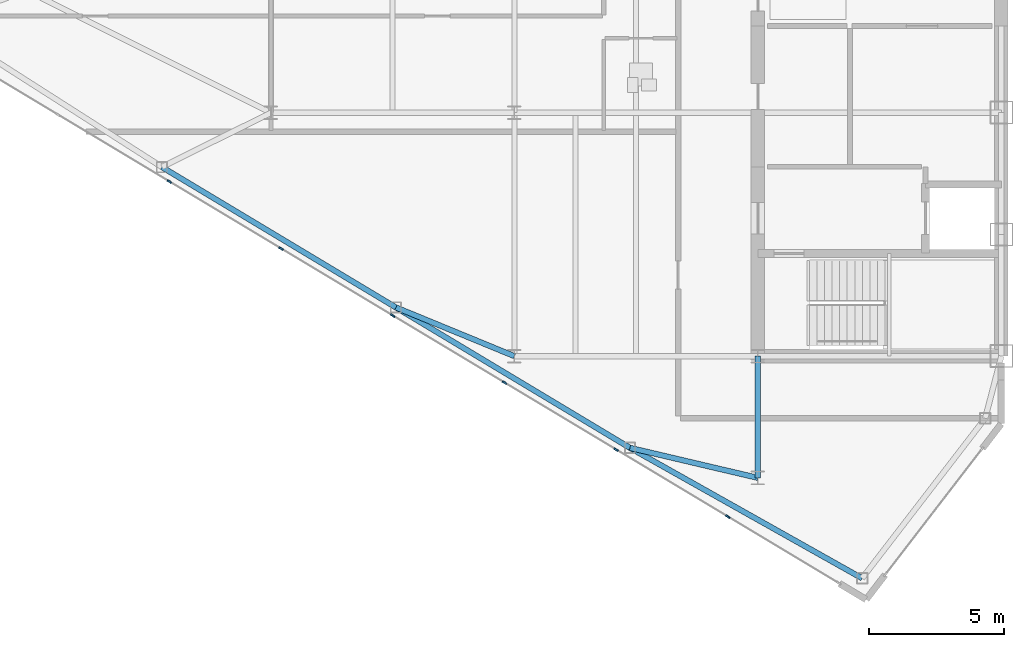
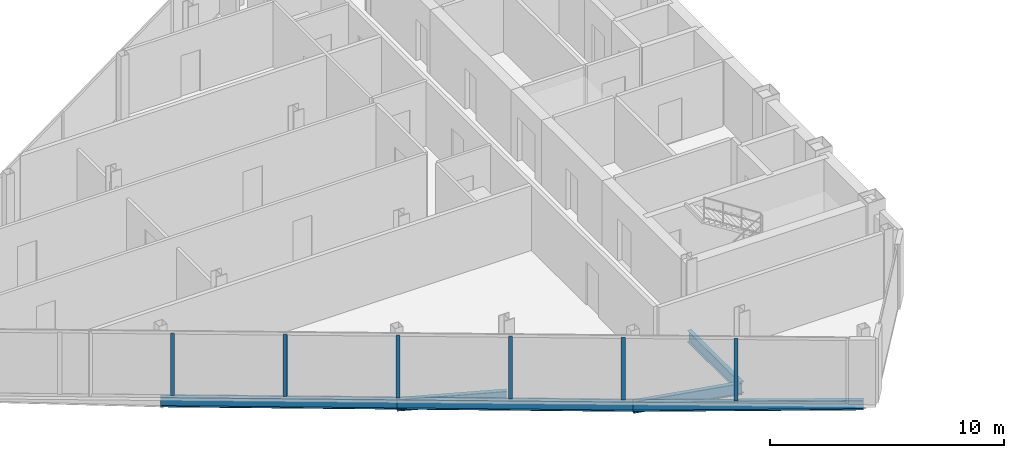
# One storey, part 5 of 25: 6 beams, 6 members, 1 element without a shape of its own.
"""IFC4 building model written with IfcOpenShell, lengths in metres."""

from ifc_helpers import new_model, si_unit, direction, frame, origin, origin_2d, place, context, subcontext, project, spatial, rectangle, i_section, extrude, source, transform, mapped, material, layer, layer_set, material_profile, profile_set, type_object, type_shapes, element, aggregate, save


model = new_model("IFC4")

# Units and contexts
model_context = context("Model", 3, precision=1e-05, world=origin(), true_north=direction((0.0, 1.0)))
body_context = subcontext(model_context, "Body", "Model", "MODEL_VIEW")
ifc_project = project(units=[si_unit("LENGTHUNIT", "METRE"), si_unit("AREAUNIT", "SQUARE_METRE"), si_unit("VOLUMEUNIT", "CUBIC_METRE"), si_unit("PLANEANGLEUNIT", "RADIAN"), si_unit("MASSUNIT", "GRAM", prefix="KILO")], contexts=[model_context])

# Site, building, storey
site_placement = place(None, origin())
site = spatial("IfcSite", under=ifc_project, at=site_placement, CompositionType="ELEMENT")
building_placement = place(site_placement, origin())
building = spatial("IfcBuilding", under=site, at=building_placement, Name="Seokmaru Belvedere", CompositionType="ELEMENT")
storey_placement = place(building_placement, frame((0.0, 0.0, 217.5)))
storey = spatial("IfcBuildingStorey", under=building, at=storey_placement, Name="L58", CompositionType="ELEMENT", Elevation=217.5)

# Beams
ifc_material_1 = material(Name="Steel SM355 (355 MPa)", Category="steel")
ifc_material_profile_1 = material_profile(ifc_material_1, i_section(OverallWidth=0.199951171875, OverallDepth=0.60009765625, WebThickness=0.010986328125, FlangeThickness=0.01708984375, at=origin_2d()), Name="H-600x200x11x17")
ifc_profile_set_1 = profile_set([ifc_material_profile_1], Name="Steel SM355 (355 MPa)")
beam_type_1 = type_object("IfcBeamType", Name="Primary Floor Girder H-600", PredefinedType="BEAM", material=ifc_profile_set_1)
shared_shape_1 = source(origin(), body_context, "Body", "SweptSolid", [
    extrude(i_section(OverallWidth=0.199951171875, OverallDepth=0.60009765625, WebThickness=0.010986328125, FlangeThickness=0.01708984375, at=origin_2d()), origin(), (0.0, 0.0, 1.0), 4.5),
])
beam_1_placement = place(storey_placement, frame((-36.5, -18.0, -0.52001953125), z_axis=(0.0, 1.0, 0.0), x_axis=(-1.0, 0.0, 0.0)))
element("IfcBeam", 1, at=beam_1_placement, inside=storey, type_object=beam_type_1, Name="L58 W Core Shoulder Girder S", PredefinedType="BEAM", context=body_context, shape_type="MappedRepresentation", body=[
    mapped(shared_shape_1, transform((0.0, 0.0, 0.0), scale=1.0)),
])
ifc_material_profile_2 = material_profile(ifc_material_1, i_section(OverallWidth=0.199951171875, OverallDepth=0.5, WebThickness=0.010009765625, FlangeThickness=0.01611328125, at=origin_2d()), Name="H-500x200x10x16")
ifc_profile_set_2 = profile_set([ifc_material_profile_2], Name="Steel SM355 (355 MPa)")
beam_type_2 = type_object("IfcBeamType", Name="Perimeter Spandrel Beam H-500", PredefinedType="SPANDREL", material=ifc_profile_set_2)
shared_shape_2 = source(origin(), body_context, "Body", "SweptSolid", [
    extrude(i_section(OverallWidth=0.199951171875, OverallDepth=0.5, WebThickness=0.010009765625, FlangeThickness=0.01611328125, at=origin_2d()), origin(), (0.0, 0.0, 1.0), 9.842041015625),
])
beam_2_placement = place(storey_placement, frame((-32.649658203125, -21.71044921875, -0.469970703125), z_axis=(-0.871782151818, 0.489893743349, 0.0), x_axis=(-0.489893743349, -0.871782151818, 0.0)))
element("IfcBeam", 2, at=beam_2_placement, inside=storey, type_object=beam_type_2, Name="L58 W Faceted Flank Spandrel S-1", PredefinedType="SPANDREL", context=body_context, shape_type="MappedRepresentation", body=[
    mapped(shared_shape_2, transform((0.0, 0.0, 0.0), scale=1.0)),
])
shared_shape_3 = source(origin(), body_context, "Body", "SweptSolid", [
    extrude(i_section(OverallWidth=0.199951171875, OverallDepth=0.5, WebThickness=0.010009765625, FlangeThickness=0.01611328125, at=origin_2d()), origin(), (0.0, 0.0, 1.0), 10.087646484375),
])
type_shapes(beam_type_2, [shared_shape_2, shared_shape_3])
for number, where, z_axis, x_axis, name in (
    (3, (-41.229736328125, -16.888916015625, -0.469970703125), (-0.857499332045, 0.514485078056, 0.0), (-0.514485078056, -0.857499332045, 0.0), "L58 W Faceted Flank Spandrel S-2"),
    (4, (-49.8798828125, -11.698974609375, -0.469970703125), (-0.857488654804, 0.514502873542, 0.0), (-0.514502873542, -0.857488654804, 0.0), "L58 W Faceted Flank Spandrel S-3"),
):
    element("IfcBeam", number, at=place(storey_placement, frame(where, z_axis=z_axis, x_axis=x_axis)), inside=storey, type_object=beam_type_2, Name=name, PredefinedType="SPANDREL", context=body_context, shape_type="MappedRepresentation", body=[
        mapped(shared_shape_3, transform((0.0, 0.0, 0.0), scale=1.0)),
    ])
shared_shape_4 = source(origin(), body_context, "Body", "SweptSolid", [
    extrude(i_section(OverallWidth=0.199951171875, OverallDepth=0.60009765625, WebThickness=0.010986328125, FlangeThickness=0.01708984375, at=origin_2d()), origin(), (0.0, 0.0, 1.0), 4.8583984375),
])
beam_3_placement = place(storey_placement, frame((-41.229736328125, -16.888916015625, -0.52001953125), z_axis=(0.97349948295, -0.228689214211, 0.0), x_axis=(0.228689214211, 0.97349948295, 0.0)))
element("IfcBeam", 5, at=beam_3_placement, inside=storey, type_object=beam_type_1, Name="L58 W Flank Radial Floor Girder S-1", PredefinedType="BEAM", context=body_context, shape_type="MappedRepresentation", body=[
    mapped(shared_shape_4, transform((0.0, 0.0, 0.0), scale=1.0)),
])
shared_shape_5 = source(origin(), body_context, "Body", "SweptSolid", [
    extrude(i_section(OverallWidth=0.199951171875, OverallDepth=0.60009765625, WebThickness=0.010986328125, FlangeThickness=0.01708984375, at=origin_2d()), origin(), (0.0, 0.0, 1.0), 4.73583984375),
])
type_shapes(beam_type_1, [shared_shape_1, shared_shape_4, shared_shape_5])
beam_4_placement = place(storey_placement, frame((-49.8798828125, -11.698974609375, -0.52001953125), z_axis=(0.924860562953, -0.380306375301, 0.0), x_axis=(0.380306375301, 0.924860562953, 0.0)))
element("IfcBeam", 6, at=beam_4_placement, inside=storey, type_object=beam_type_1, Name="L58 W Flank Radial Floor Girder S-2", PredefinedType="BEAM", context=body_context, shape_type="MappedRepresentation", body=[
    mapped(shared_shape_5, transform((0.0, 0.0, 0.0), scale=1.0)),
])

# Curtain wall, members
ifc_material_2 = material(Name="Bronze Triple Insulating Glass", Category="glass")
ifc_layer = layer(ifc_material_2, 0.179931640625)
ifc_layer_set = layer_set([ifc_layer], Name="Bronze Triple Insulating Glass")
curtain_wall_type = type_object("IfcCurtainWallType", Name="High-Rise Wind-Corner Curtain Wall System CW-5", PredefinedType="NOTDEFINED", material=ifc_layer_set)
curtain_wall_placement = place(storey_placement, origin())
curtain_wall = element("IfcCurtainWall", 7, at=curtain_wall_placement, inside=storey, type_object=curtain_wall_type, Name="L58 Curtain Wall WF5", PredefinedType="NOTDEFINED")
ifc_material_3 = material(Name="Anodised Bronze Aluminium", Category="aluminium")
ifc_material_profile_3 = material_profile(ifc_material_3, rectangle(XDim=0.06494140625, YDim=0.179931640625, at=origin_2d()), Name="CW-M-65x180")
ifc_profile_set_3 = profile_set([ifc_material_profile_3], Name="Anodised Bronze Aluminium")
member_type = type_object("IfcMemberType", Name="Bronze Unitised Mullion 65x180", PredefinedType="MULLION", material=ifc_profile_set_3)
shared_shape_6 = source(origin(), body_context, "Body", "SweptSolid", [
    extrude(rectangle(XDim=0.06494140625, YDim=0.179931640625, at=origin_2d()), origin(), (0.0, 0.0, 1.0), 3.25),
])
type_shapes(member_type, [shared_shape_6])
member_1_placement = place(storey_placement, frame((-58.257080078125, -7.0458984375, 0.06494140625), z_axis=(0.0, 0.0, 1.0), x_axis=(0.514494909364, 0.85749343335, 0.0)))
member_1 = element("IfcMember", 8, at=member_1_placement, type_object=member_type, Name="CW:L58:WF5 Mullion 3", PredefinedType="MULLION", context=body_context, shape_type="MappedRepresentation", body=[
    mapped(shared_shape_6, transform((0.0, 0.0, 0.0), scale=1.0)),
])
member_2_placement = place(storey_placement, frame((-54.12841796875, -9.52294921875, 0.06494140625), z_axis=(0.0, 0.0, 1.0), x_axis=(0.514494909364, 0.85749343335, 0.0)))
member_2 = element("IfcMember", 9, at=member_2_placement, type_object=member_type, Name="CW:L58:WF5 Mullion 4", PredefinedType="MULLION", context=body_context, shape_type="MappedRepresentation", body=[
    mapped(shared_shape_6, transform((0.0, 0.0, 0.0), scale=1.0)),
])
member_3_placement = place(storey_placement, frame((-50.0, -12.0, 0.06494140625), z_axis=(0.0, 0.0, 1.0), x_axis=(0.514494909364, 0.85749343335, 0.0)))
member_3 = element("IfcMember", 10, at=member_3_placement, type_object=member_type, Name="CW:L58:WF5 Mullion 5", PredefinedType="MULLION", context=body_context, shape_type="MappedRepresentation", body=[
    mapped(shared_shape_6, transform((0.0, 0.0, 0.0), scale=1.0)),
])
member_4_placement = place(storey_placement, frame((-45.87158203125, -14.47705078125, 0.06494140625), z_axis=(0.0, 0.0, 1.0), x_axis=(0.514494909364, 0.85749343335, 0.0)))
member_4 = element("IfcMember", 11, at=member_4_placement, type_object=member_type, Name="CW:L58:WF5 Mullion 6", PredefinedType="MULLION", context=body_context, shape_type="MappedRepresentation", body=[
    mapped(shared_shape_6, transform((0.0, 0.0, 0.0), scale=1.0)),
])
member_5_placement = place(storey_placement, frame((-41.742919921875, -16.9541015625, 0.06494140625), z_axis=(0.0, 0.0, 1.0), x_axis=(0.514494909364, 0.85749343335, 0.0)))
member_5 = element("IfcMember", 12, at=member_5_placement, type_object=member_type, Name="CW:L58:WF5 Mullion 7", PredefinedType="MULLION", context=body_context, shape_type="MappedRepresentation", body=[
    mapped(shared_shape_6, transform((0.0, 0.0, 0.0), scale=1.0)),
])
member_6_placement = place(storey_placement, frame((-37.614501953125, -19.43115234375, 0.06494140625), z_axis=(0.0, 0.0, 1.0), x_axis=(0.514494909364, 0.85749343335, 0.0)))
member_6 = element("IfcMember", 13, at=member_6_placement, type_object=member_type, Name="CW:L58:WF5 Mullion 8", PredefinedType="MULLION", context=body_context, shape_type="MappedRepresentation", body=[
    mapped(shared_shape_6, transform((0.0, 0.0, 0.0), scale=1.0)),
])
aggregate(curtain_wall, [member_1, member_2, member_3, member_4, member_5, member_6])

save(model, "model.ifc")
